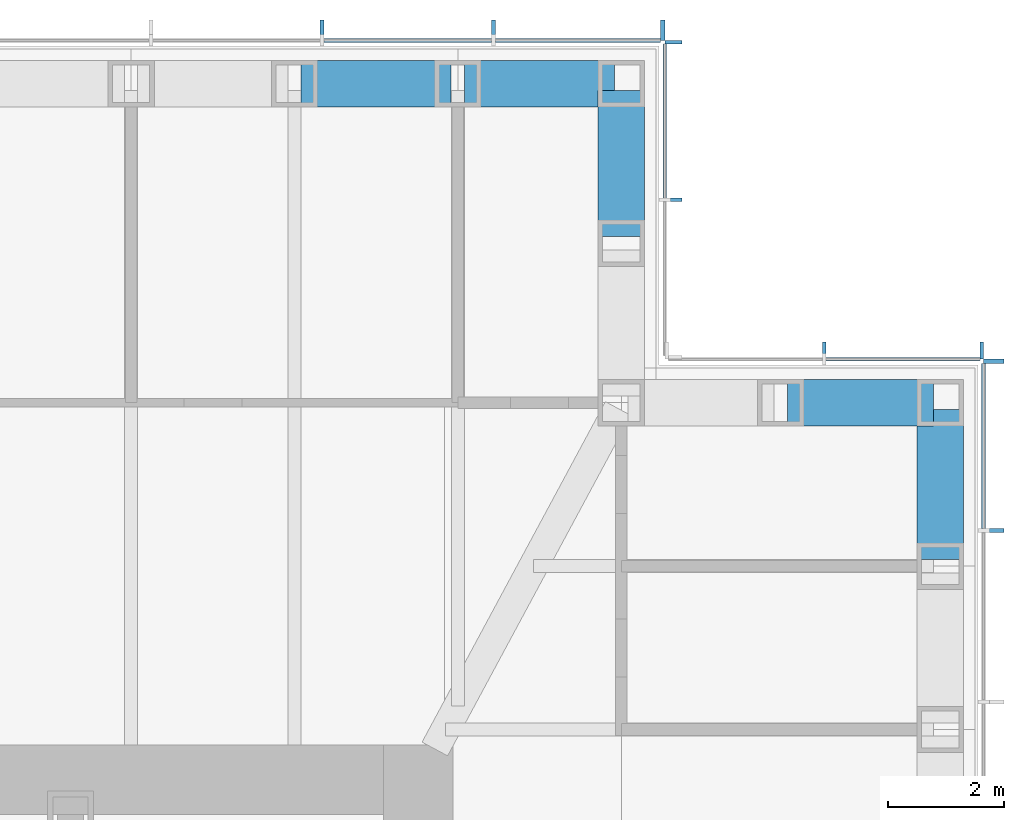
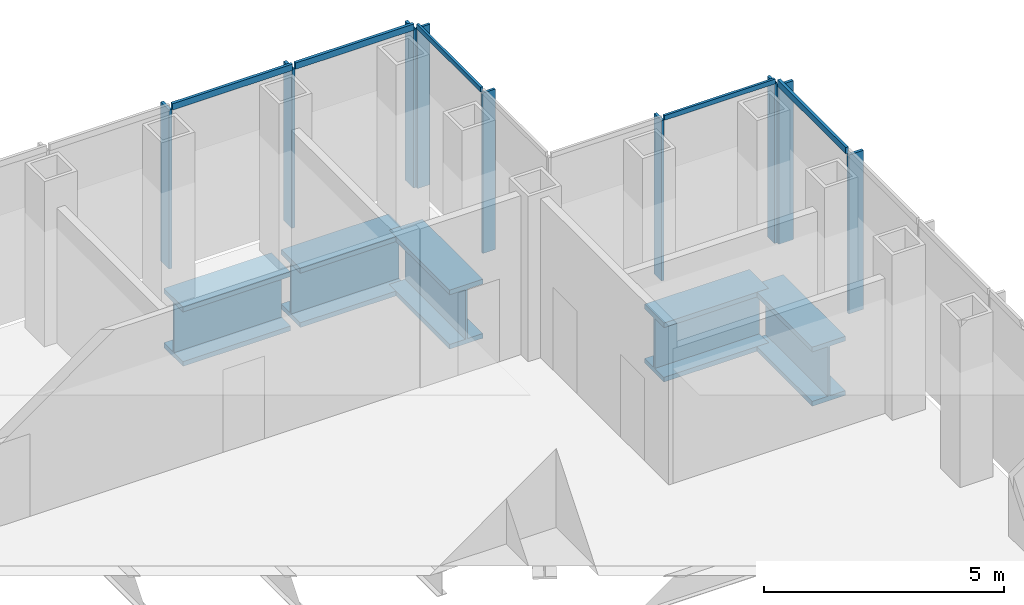
# One storey, part 6 of 16: 14 members, 5 beams, 4 elements without a shape of their own.
"""IFC4 building model written with IfcOpenShell, lengths in metres."""

from ifc_helpers import new_model, si_unit, direction, frame, origin, origin_2d, place, context, subcontext, project, spatial, rectangle, i_section, extrude, material, material_profile, profile_set, type_object, element, aggregate, save


model = new_model("IFC4")

# Units and contexts
model_context = context("Model", 3, precision=1e-05, world=origin(), true_north=direction((0.0, 1.0)))
body_context = subcontext(model_context, "Body", "Model", "MODEL_VIEW")
ifc_project = project(units=[si_unit("LENGTHUNIT", "METRE"), si_unit("AREAUNIT", "SQUARE_METRE"), si_unit("VOLUMEUNIT", "CUBIC_METRE"), si_unit("PLANEANGLEUNIT", "RADIAN"), si_unit("MASSUNIT", "GRAM", prefix="KILO")], contexts=[model_context])

# Site, building, storey
site_placement = place(None, origin())
site = spatial("IfcSite", under=ifc_project, at=site_placement, CompositionType="ELEMENT")
building_placement = place(site_placement, origin())
building = spatial("IfcBuilding", under=site, at=building_placement, Name="Daluyong Arena Tower", CompositionType="ELEMENT")
storey_placement = place(building_placement, frame((0.0, 0.0, 227.5)))
storey = spatial("IfcBuildingStorey", under=building, at=storey_placement, Name="L51", CompositionType="ELEMENT", Elevation=227.5)

# Curtain wall, members
ifc_material_1 = material(Name="Bronze anodised aluminium and glass", Category="aluminium")
curtain_wall_type_1 = type_object("IfcCurtainWallType", Name="Curtain wall CW3", PredefinedType="USERDEFINED", material=ifc_material_1)
curtain_wall_1_placement = place(storey_placement, origin())
curtain_wall_1 = element("IfcCurtainWall", 1, at=curtain_wall_1_placement, inside=storey, type_object=curtain_wall_type_1, Name="curtain wall L51 E", ObjectType="UNITISED CURTAIN WALL", PredefinedType="USERDEFINED")
ifc_material_2 = material(Name="Bronze anodised aluminium fin", Category="aluminium")
ifc_material_profile_1 = material_profile(ifc_material_2, rectangle(XDim=0.35009765625, YDim=0.070068359375, at=origin_2d()))
ifc_profile_set_1 = profile_set([ifc_material_profile_1], Name="Bronze anodised aluminium fin")
member_type_1 = type_object("IfcMemberType", Name="CW3 bronze fin 350x70", PredefinedType="MULLION", material=ifc_profile_set_1)
member_1_placement = place(storey_placement, frame((77.925048828125, 93.29541015625, 0.0), z_axis=(0.0, 0.0, 1.0), x_axis=(-1.0, 0.0, 0.0)))
member_1 = element("IfcMember", 2, at=member_1_placement, type_object=member_type_1, Name="curtain wall L51 E fin 11", PredefinedType="MULLION", context=body_context, shape_type="SweptSolid", body=[
    extrude(rectangle(XDim=0.35009765625, YDim=0.070068359375, at=origin_2d()), origin(), (0.0, 0.0, 1.0), 4.0400390625),
])
member_2_placement = place(storey_placement, frame((77.925048828125, 96.215087890625, 0.0), z_axis=(0.0, 0.0, 1.0), x_axis=(-1.0, 0.0, 0.0)))
member_2 = element("IfcMember", 3, at=member_2_placement, type_object=member_type_1, Name="curtain wall L51 E fin 12", PredefinedType="MULLION", context=body_context, shape_type="SweptSolid", body=[
    extrude(rectangle(XDim=0.35009765625, YDim=0.070068359375, at=origin_2d()), origin(), (0.0, 0.0, 1.0), 4.0400390625),
])

curtain_wall_2_placement = place(storey_placement, origin())
curtain_wall_2 = element("IfcCurtainWall", 4, at=curtain_wall_2_placement, inside=storey, type_object=curtain_wall_type_1, Name="curtain wall L51 N", ObjectType="UNITISED CURTAIN WALL", PredefinedType="USERDEFINED")
member_3_placement = place(storey_placement, frame((72.215087890625, 101.925048828125, 0.0), z_axis=(0.0, 0.0, 1.0), x_axis=(0.0, -1.0, 0.0)))
member_3 = element("IfcMember", 5, at=member_3_placement, type_object=member_type_1, Name="curtain wall L51 N fin 1", PredefinedType="MULLION", context=body_context, shape_type="SweptSolid", body=[
    extrude(rectangle(XDim=0.35009765625, YDim=0.070068359375, at=origin_2d()), origin(), (0.0, 0.0, 1.0), 4.0400390625),
])
member_4_placement = place(storey_placement, frame((69.29541015625, 101.925048828125, 0.0), z_axis=(0.0, 0.0, 1.0), x_axis=(0.0, -1.0, 0.0)))
member_4 = element("IfcMember", 6, at=member_4_placement, type_object=member_type_1, Name="curtain wall L51 N fin 2", PredefinedType="MULLION", context=body_context, shape_type="SweptSolid", body=[
    extrude(rectangle(XDim=0.35009765625, YDim=0.070068359375, at=origin_2d()), origin(), (0.0, 0.0, 1.0), 4.0400390625),
])
member_5_placement = place(storey_placement, frame((66.3408203125, 101.925048828125, 0.0), z_axis=(0.0, 0.0, 1.0), x_axis=(0.0, -1.0, 0.0)))
member_5 = element("IfcMember", 7, at=member_5_placement, type_object=member_type_1, Name="curtain wall L51 N fin 3", PredefinedType="MULLION", context=body_context, shape_type="SweptSolid", body=[
    extrude(rectangle(XDim=0.35009765625, YDim=0.070068359375, at=origin_2d()), origin(), (0.0, 0.0, 1.0), 4.0400390625),
])

# Member
ifc_material_3 = material(Name="Bronze anodised aluminium", Category="aluminium")
ifc_material_profile_2 = material_profile(ifc_material_3, rectangle(XDim=0.070068359375, YDim=0.159912109375, at=origin_2d()))
ifc_profile_set_2 = profile_set([ifc_material_profile_2], Name="Bronze anodised aluminium")
member_type_2 = type_object("IfcMemberType", Name="CW3 stack transom 160x70", PredefinedType="USERDEFINED", material=ifc_profile_set_2)
member_6_placement = place(storey_placement, frame((77.75, 93.33056640625, 4.1201171875), z_axis=(0.0, 1.0, 0.0), x_axis=(-1.0, 0.0, 0.0)))
member_6 = element("IfcMember", 8, at=member_6_placement, type_object=member_type_2, Name="curtain wall L51 E transom 11", ObjectType="TRANSOM", PredefinedType="USERDEFINED", context=body_context, shape_type="SweptSolid", body=[
    extrude(rectangle(XDim=0.070068359375, YDim=0.159912109375, at=origin_2d()), origin(), (0.0, 0.0, 1.0), 2.849365234375),
])

aggregate(curtain_wall_1, [member_1, member_2, member_6])

member_7_placement = place(storey_placement, frame((72.179931640625, 101.75, 4.1201171875), z_axis=(-1.0, 0.0, 0.0), x_axis=(0.0, -1.0, 0.0)))
member_7 = element("IfcMember", 9, at=member_7_placement, type_object=member_type_2, Name="curtain wall L51 N transom 1", ObjectType="TRANSOM", PredefinedType="USERDEFINED", context=body_context, shape_type="SweptSolid", body=[
    extrude(rectangle(XDim=0.070068359375, YDim=0.159912109375, at=origin_2d()), origin(), (0.0, 0.0, 1.0), 2.849365234375),
])

member_8_placement = place(storey_placement, frame((69.260498046875, 101.75, 4.1201171875), z_axis=(-1.0, 0.0, 0.0), x_axis=(0.0, -1.0, 0.0)))
member_8 = element("IfcMember", 10, at=member_8_placement, type_object=member_type_2, Name="curtain wall L51 N transom 2", ObjectType="TRANSOM", PredefinedType="USERDEFINED", context=body_context, shape_type="SweptSolid", body=[
    extrude(rectangle(XDim=0.070068359375, YDim=0.159912109375, at=origin_2d()), origin(), (0.0, 0.0, 1.0), 2.884521484375),
])

aggregate(curtain_wall_2, [member_3, member_4, member_5, member_7, member_8])

# Curtain wall, members
ifc_material_4 = material(Name="Bronze anodised aluminium and glass", Category="aluminium")
curtain_wall_type_2 = type_object("IfcCurtainWallType", Name="Curtain wall CW7", PredefinedType="USERDEFINED", material=ifc_material_4)
curtain_wall_3_placement = place(storey_placement, origin())
curtain_wall_3 = element("IfcCurtainWall", 11, at=curtain_wall_3_placement, inside=storey, type_object=curtain_wall_type_2, Name="curtain wall L51 NE-N", ObjectType="UNITISED CURTAIN WALL", PredefinedType="USERDEFINED")
ifc_material_5 = material(Name="Bronze anodised aluminium fin", Category="aluminium")
ifc_material_profile_3 = material_profile(ifc_material_5, rectangle(XDim=0.300048828125, YDim=0.06005859375, at=origin_2d()))
ifc_profile_set_3 = profile_set([ifc_material_profile_3], Name="Bronze anodised aluminium fin")
member_type_3 = type_object("IfcMemberType", Name="CW7 bronze fin 300x60", PredefinedType="MULLION", material=ifc_profile_set_3)
member_9_placement = place(storey_placement, frame((77.719970703125, 96.39990234375, 0.0), z_axis=(0.0, 0.0, 1.0), x_axis=(0.0, -1.0, 0.0)))
member_9 = element("IfcMember", 12, at=member_9_placement, type_object=member_type_3, Name="curtain wall L51 NE-N fin 1", PredefinedType="MULLION", context=body_context, shape_type="SweptSolid", body=[
    extrude(rectangle(XDim=0.300048828125, YDim=0.06005859375, at=origin_2d()), origin(), (0.0, 0.0, 1.0), 4.080078125),
])
member_10_placement = place(storey_placement, frame((75.0, 96.39990234375, 0.0), z_axis=(0.0, 0.0, 1.0), x_axis=(0.0, -1.0, 0.0)))
member_10 = element("IfcMember", 13, at=member_10_placement, type_object=member_type_3, Name="curtain wall L51 NE-N fin 2", PredefinedType="MULLION", context=body_context, shape_type="SweptSolid", body=[
    extrude(rectangle(XDim=0.300048828125, YDim=0.06005859375, at=origin_2d()), origin(), (0.0, 0.0, 1.0), 4.080078125),
])

curtain_wall_4_placement = place(storey_placement, origin())
curtain_wall_4 = element("IfcCurtainWall", 14, at=curtain_wall_4_placement, inside=storey, type_object=curtain_wall_type_2, Name="curtain wall L51 NE-E", ObjectType="UNITISED CURTAIN WALL", PredefinedType="USERDEFINED")
member_11_placement = place(storey_placement, frame((72.39990234375, 99.0, 0.0), z_axis=(0.0, 0.0, 1.0), x_axis=(-1.0, 0.0, 0.0)))
member_11 = element("IfcMember", 15, at=member_11_placement, type_object=member_type_3, Name="curtain wall L51 NE-E fin 2", PredefinedType="MULLION", context=body_context, shape_type="SweptSolid", body=[
    extrude(rectangle(XDim=0.300048828125, YDim=0.06005859375, at=origin_2d()), origin(), (0.0, 0.0, 1.0), 4.080078125),
])
member_12_placement = place(storey_placement, frame((72.39990234375, 101.719970703125, 0.0), z_axis=(0.0, 0.0, 1.0), x_axis=(-1.0, 0.0, 0.0)))
member_12 = element("IfcMember", 16, at=member_12_placement, type_object=member_type_3, Name="curtain wall L51 NE-E fin 3", PredefinedType="MULLION", context=body_context, shape_type="SweptSolid", body=[
    extrude(rectangle(XDim=0.300048828125, YDim=0.06005859375, at=origin_2d()), origin(), (0.0, 0.0, 1.0), 4.080078125),
])

# Member
ifc_material_6 = material(Name="Bronze anodised aluminium", Category="aluminium")
ifc_material_profile_4 = material_profile(ifc_material_6, rectangle(XDim=0.06005859375, YDim=0.1201171875, at=origin_2d()))
ifc_profile_set_4 = profile_set([ifc_material_profile_4], Name="Bronze anodised aluminium")
member_type_4 = type_object("IfcMemberType", Name="CW7 stack transom 120x60", PredefinedType="USERDEFINED", material=ifc_profile_set_4)
member_13_placement = place(storey_placement, frame((77.68994140625, 96.25, 4.139892578125), z_axis=(-1.0, 0.0, 0.0), x_axis=(0.0, -1.0, 0.0)))
member_13 = element("IfcMember", 17, at=member_13_placement, type_object=member_type_4, Name="curtain wall L51 NE-N transom 1", ObjectType="TRANSOM", PredefinedType="USERDEFINED", context=body_context, shape_type="SweptSolid", body=[
    extrude(rectangle(XDim=0.06005859375, YDim=0.1201171875, at=origin_2d()), origin(), (0.0, 0.0, 1.0), 2.659912109375),
])

aggregate(curtain_wall_3, [member_9, member_10, member_13])

member_14_placement = place(storey_placement, frame((72.25, 99.030029296875, 4.139892578125), z_axis=(0.0, 1.0, 0.0), x_axis=(-1.0, 0.0, 0.0)))
member_14 = element("IfcMember", 18, at=member_14_placement, type_object=member_type_4, Name="curtain wall L51 NE-E transom 2", ObjectType="TRANSOM", PredefinedType="USERDEFINED", context=body_context, shape_type="SweptSolid", body=[
    extrude(rectangle(XDim=0.06005859375, YDim=0.1201171875, at=origin_2d()), origin(), (0.0, 0.0, 1.0), 2.659912109375),
])

aggregate(curtain_wall_4, [member_11, member_12, member_14])

# Beams
ifc_material_7 = material(Name="Steel ASTM A588 Grade 50", Category="steel")
ifc_material_profile_5 = material_profile(ifc_material_7, i_section(OverallWidth=0.800048828125, OverallDepth=1.5, WebThickness=0.05, FlangeThickness=0.12, at=origin_2d()))
ifc_profile_set_5 = profile_set([ifc_material_profile_5], Name="Steel ASTM A588 Grade 50")
beam_type = type_object("IfcBeamType", Name="Spandrel Z3 PG1500X800", PredefinedType="SPANDREL", material=ifc_profile_set_5)
beam_1_placement = place(storey_placement, frame((77.0, 92.796875, -0.909912109375), z_axis=(0.0, 1.0, 0.0), x_axis=(-1.0, 0.0, 0.0)))
element("IfcBeam", 19, at=beam_1_placement, inside=storey, type_object=beam_type, Name="spandrel z3 SB7", PredefinedType="SPANDREL", context=body_context, shape_type="SweptSolid", body=[
    extrude(i_section(OverallWidth=0.800048828125, OverallDepth=1.5, WebThickness=0.05, FlangeThickness=0.12, at=origin_2d()), origin(), (0.0, 0.0, 1.0), 2.588134765625),
])
for number, where, z_axis, x_axis, name in (
    (20, (76.885009765625, 95.5, -0.909912109375), (-1.0, 0.0, 0.0), (0.0, -1.0, 0.0), "spandrel z3 SB7"),
    (21, (71.5, 98.364990234375, -0.909912109375), (0.0, 1.0, 0.0), (-1.0, 0.0, 0.0), "spandrel z3 SB7"),
):
    element("IfcBeam", number, at=place(storey_placement, frame(where, z_axis=z_axis, x_axis=x_axis)), inside=storey, type_object=beam_type, Name=name, PredefinedType="SPANDREL", context=body_context, shape_type="SweptSolid", body=[
        extrude(i_section(OverallWidth=0.800048828125, OverallDepth=1.5, WebThickness=0.05, FlangeThickness=0.12, at=origin_2d()), origin(), (0.0, 0.0, 1.0), 2.52001953125),
    ])
beam_2_placement = place(storey_placement, frame((71.385009765625, 101.0, -0.909912109375), z_axis=(-1.0, 0.0, 0.0), x_axis=(0.0, -1.0, 0.0)))
element("IfcBeam", 22, at=beam_2_placement, inside=storey, type_object=beam_type, Name="spandrel z3 SB7", PredefinedType="SPANDREL", context=body_context, shape_type="SweptSolid", body=[
    extrude(i_section(OverallWidth=0.800048828125, OverallDepth=1.5, WebThickness=0.05, FlangeThickness=0.12, at=origin_2d()), origin(), (0.0, 0.0, 1.0), 2.588134765625),
])
beam_3_placement = place(storey_placement, frame((68.56689453125, 101.0, -0.909912109375), z_axis=(-1.0, 0.0, 0.0), x_axis=(0.0, -1.0, 0.0)))
element("IfcBeam", 23, at=beam_3_placement, inside=storey, type_object=beam_type, Name="spandrel z3 SB7", PredefinedType="SPANDREL", context=body_context, shape_type="SweptSolid", body=[
    extrude(i_section(OverallWidth=0.800048828125, OverallDepth=1.5, WebThickness=0.05, FlangeThickness=0.12, at=origin_2d()), origin(), (0.0, 0.0, 1.0), 2.58837890625),
])

save(model, "model.ifc")
